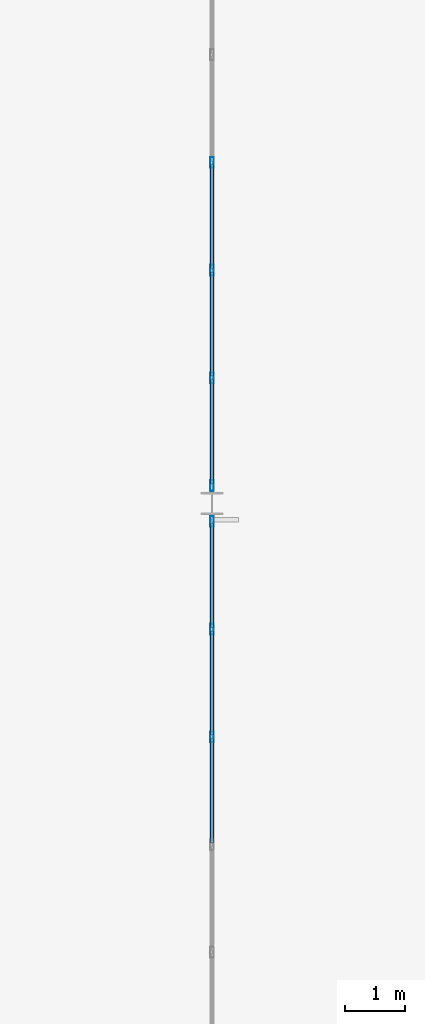
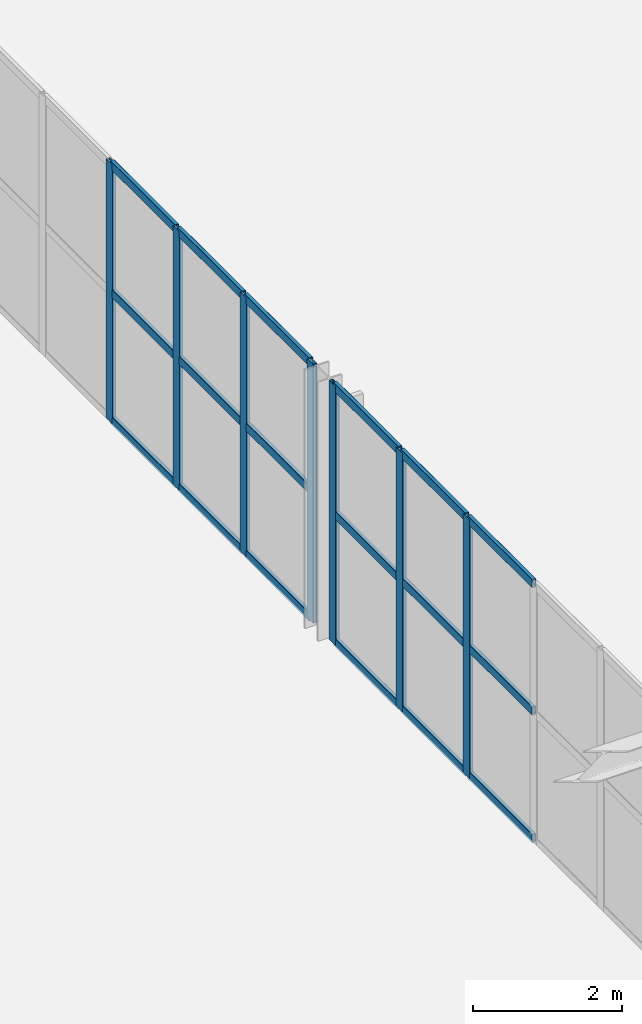
# One storey, part 127 of 170: 25 members, 2 elements without a shape of their own.
"""IFC4 building model written with IfcOpenShell, lengths in metres."""

from ifc_helpers import new_model, si_unit, direction, frame, origin, origin_2d, place, context, subcontext, project, spatial, hollow_rectangle, extrude, material, material_profile, profile_set, type_object, element, aggregate, save


model = new_model("IFC4")

# Units and contexts
model_context = context("Model", 3, precision=1e-05, world=origin(), true_north=direction((0.0, 1.0)))
body_context = subcontext(model_context, "Body", "Model", "MODEL_VIEW")
ifc_project = project(units=[si_unit("LENGTHUNIT", "METRE"), si_unit("AREAUNIT", "SQUARE_METRE"), si_unit("VOLUMEUNIT", "CUBIC_METRE"), si_unit("PLANEANGLEUNIT", "RADIAN"), si_unit("MASSUNIT", "GRAM", prefix="KILO")], contexts=[model_context])

# Site, building, storey
site_placement = place(None, origin())
site = spatial("IfcSite", under=ifc_project, at=site_placement, CompositionType="ELEMENT")
building_placement = place(site_placement, origin())
building = spatial("IfcBuilding", under=site, at=building_placement, Name="Coralgate Yard Interchange", CompositionType="ELEMENT")
storey_placement = place(building_placement, frame((0.0, 0.0, 6.0)))
storey = spatial("IfcBuildingStorey", under=building, at=storey_placement, Name="L01", CompositionType="ELEMENT", Elevation=6.0)

# Curtain wall, members
ifc_material_1 = material(Name="Anodised coastal aluminium and solar-control low-E glass", Category="aluminium")
curtain_wall_type = type_object("IfcCurtainWallType", Name="CW-CW-L01-B", PredefinedType="NOTDEFINED", material=ifc_material_1)
curtain_wall_1_placement = place(storey_placement, origin())
curtain_wall_1 = element("IfcCurtainWall", 1, at=curtain_wall_1_placement, inside=storey, type_object=curtain_wall_type, Name="L01 unitised curtain wall CW-L01-E-13-05", PredefinedType="NOTDEFINED")
ifc_material_2 = material(Name="Anodised coastal aluminium 6063-T6", Category="aluminium")
ifc_material_profile_1 = material_profile(ifc_material_2, hollow_rectangle(XDim=0.06005859375, YDim=0.179931640625, WallThickness=0.00390625, InnerFilletRadius=0.00390625, OuterFilletRadius=0.008056640625, at=origin_2d()), Name="ALU 60x180x4")
ifc_profile_set_1 = profile_set([ifc_material_profile_1], Name="Anodised coastal aluminium 6063-T6")
member_type_1 = type_object("IfcMemberType", Name="MB-MUL-180", PredefinedType="MULLION", material=ifc_profile_set_1)
member_1_placement = place(storey_placement, frame((134.39990234375, 57.300048828125, 0.0), z_axis=(0.0, 0.0, 1.0), x_axis=(1.0, 0.0, 0.0)))
member_1 = element("IfcMember", 2, at=member_1_placement, type_object=member_type_1, Name="CW-L01-E-13-05 vertical mullion 1", PredefinedType="MULLION", context=body_context, shape_type="SweptSolid", body=[
    extrude(hollow_rectangle(XDim=0.06005859375, YDim=0.179931640625, WallThickness=0.00390625, InnerFilletRadius=0.00390625, OuterFilletRadius=0.008056640625, at=origin_2d()), origin(), (0.0, 0.0, 1.0), 4.25),
])
member_2_placement = place(storey_placement, frame((134.39990234375, 55.5, 0.0), z_axis=(0.0, 0.0, 1.0), x_axis=(1.0, 0.0, 0.0)))
member_2 = element("IfcMember", 3, at=member_2_placement, type_object=member_type_1, Name="CW-L01-E-13-05 vertical mullion 2", PredefinedType="MULLION", context=body_context, shape_type="SweptSolid", body=[
    extrude(hollow_rectangle(XDim=0.06005859375, YDim=0.179931640625, WallThickness=0.00390625, InnerFilletRadius=0.00390625, OuterFilletRadius=0.008056640625, at=origin_2d()), origin(), (0.0, 0.0, 1.0), 4.25),
])
member_3_placement = place(storey_placement, frame((134.39990234375, 53.699951171875, 0.0), z_axis=(0.0, 0.0, 1.0), x_axis=(1.0, 0.0, 0.0)))
member_3 = element("IfcMember", 4, at=member_3_placement, type_object=member_type_1, Name="CW-L01-E-13-05 vertical mullion 3", PredefinedType="MULLION", context=body_context, shape_type="SweptSolid", body=[
    extrude(hollow_rectangle(XDim=0.06005859375, YDim=0.179931640625, WallThickness=0.00390625, InnerFilletRadius=0.00390625, OuterFilletRadius=0.008056640625, at=origin_2d()), origin(), (0.0, 0.0, 1.0), 4.25),
])

curtain_wall_2_placement = place(storey_placement, origin())
curtain_wall_2 = element("IfcCurtainWall", 5, at=curtain_wall_2_placement, inside=storey, type_object=curtain_wall_type, Name="L01 unitised curtain wall CW-L01-E-13-06", PredefinedType="NOTDEFINED")
member_4_placement = place(storey_placement, frame((134.39990234375, 63.300048828125, 0.0), z_axis=(0.0, 0.0, 1.0), x_axis=(1.0, 0.0, 0.0)))
member_4 = element("IfcMember", 6, at=member_4_placement, type_object=member_type_1, Name="CW-L01-E-13-06 vertical mullion 3", PredefinedType="MULLION", context=body_context, shape_type="SweptSolid", body=[
    extrude(hollow_rectangle(XDim=0.06005859375, YDim=0.179931640625, WallThickness=0.00390625, InnerFilletRadius=0.00390625, OuterFilletRadius=0.008056640625, at=origin_2d()), origin(), (0.0, 0.0, 1.0), 4.25),
])
member_5_placement = place(storey_placement, frame((134.39990234375, 61.5, 0.0), z_axis=(0.0, 0.0, 1.0), x_axis=(1.0, 0.0, 0.0)))
member_5 = element("IfcMember", 7, at=member_5_placement, type_object=member_type_1, Name="CW-L01-E-13-06 vertical mullion 4", PredefinedType="MULLION", context=body_context, shape_type="SweptSolid", body=[
    extrude(hollow_rectangle(XDim=0.06005859375, YDim=0.179931640625, WallThickness=0.00390625, InnerFilletRadius=0.00390625, OuterFilletRadius=0.008056640625, at=origin_2d()), origin(), (0.0, 0.0, 1.0), 4.25),
])
member_6_placement = place(storey_placement, frame((134.39990234375, 59.699951171875, 0.0), z_axis=(0.0, 0.0, 1.0), x_axis=(1.0, 0.0, 0.0)))
member_6 = element("IfcMember", 8, at=member_6_placement, type_object=member_type_1, Name="CW-L01-E-13-06 vertical mullion 5", PredefinedType="MULLION", context=body_context, shape_type="SweptSolid", body=[
    extrude(hollow_rectangle(XDim=0.06005859375, YDim=0.179931640625, WallThickness=0.00390625, InnerFilletRadius=0.00390625, OuterFilletRadius=0.008056640625, at=origin_2d()), origin(), (0.0, 0.0, 1.0), 4.25),
])
member_7_placement = place(storey_placement, frame((134.39990234375, 57.89990234375, 0.0), z_axis=(0.0, 0.0, 1.0), x_axis=(1.0, 0.0, 0.0)))
member_7 = element("IfcMember", 9, at=member_7_placement, type_object=member_type_1, Name="CW-L01-E-13-06 vertical mullion 6", PredefinedType="MULLION", context=body_context, shape_type="SweptSolid", body=[
    extrude(hollow_rectangle(XDim=0.06005859375, YDim=0.179931640625, WallThickness=0.00390625, InnerFilletRadius=0.00390625, OuterFilletRadius=0.008056640625, at=origin_2d()), origin(), (0.0, 0.0, 1.0), 4.25),
])

# Member
ifc_material_profile_2 = material_profile(ifc_material_2, hollow_rectangle(XDim=0.06005859375, YDim=0.139892578125, WallThickness=0.00341796875, InnerFilletRadius=0.00341796875, OuterFilletRadius=0.007080078125, at=origin_2d()), Name="ALU 60x140x3.5")
ifc_profile_set_2 = profile_set([ifc_material_profile_2], Name="Anodised coastal aluminium 6063-T6")
member_type_2 = type_object("IfcMemberType", Name="MB-TRN-140", PredefinedType="USERDEFINED", material=ifc_profile_set_2)
member_8_placement = place(storey_placement, frame((134.39990234375, 57.27001953125, 0.034912109375), z_axis=(0.0, -1.0, 0.0), x_axis=(1.0, 0.0, 0.0)))
member_8 = element("IfcMember", 10, at=member_8_placement, type_object=member_type_2, Name="CW-L01-E-13-05 horizontal transom 1-1", ObjectType="TRANSOM", PredefinedType="USERDEFINED", context=body_context, shape_type="SweptSolid", body=[
    extrude(hollow_rectangle(XDim=0.06005859375, YDim=0.139892578125, WallThickness=0.00341796875, InnerFilletRadius=0.00341796875, OuterFilletRadius=0.007080078125, at=origin_2d()), origin(), (0.0, 0.0, 1.0), 1.739990234375),
])

member_9_placement = place(storey_placement, frame((134.39990234375, 57.27001953125, 2.125), z_axis=(0.0, -1.0, 0.0), x_axis=(1.0, 0.0, 0.0)))
member_9 = element("IfcMember", 11, at=member_9_placement, type_object=member_type_2, Name="CW-L01-E-13-05 horizontal transom 1-2", ObjectType="TRANSOM", PredefinedType="USERDEFINED", context=body_context, shape_type="SweptSolid", body=[
    extrude(hollow_rectangle(XDim=0.06005859375, YDim=0.139892578125, WallThickness=0.00341796875, InnerFilletRadius=0.00341796875, OuterFilletRadius=0.007080078125, at=origin_2d()), origin(), (0.0, 0.0, 1.0), 1.739990234375),
])

member_10_placement = place(storey_placement, frame((134.39990234375, 57.27001953125, 4.215087890625), z_axis=(0.0, -1.0, 0.0), x_axis=(1.0, 0.0, 0.0)))
member_10 = element("IfcMember", 12, at=member_10_placement, type_object=member_type_2, Name="CW-L01-E-13-05 horizontal transom 1-3", ObjectType="TRANSOM", PredefinedType="USERDEFINED", context=body_context, shape_type="SweptSolid", body=[
    extrude(hollow_rectangle(XDim=0.06005859375, YDim=0.139892578125, WallThickness=0.00341796875, InnerFilletRadius=0.00341796875, OuterFilletRadius=0.007080078125, at=origin_2d()), origin(), (0.0, 0.0, 1.0), 1.739990234375),
])

member_11_placement = place(storey_placement, frame((134.39990234375, 55.469970703125, 0.034912109375), z_axis=(0.0, -1.0, 0.0), x_axis=(1.0, 0.0, 0.0)))
member_11 = element("IfcMember", 13, at=member_11_placement, type_object=member_type_2, Name="CW-L01-E-13-05 horizontal transom 2-1", ObjectType="TRANSOM", PredefinedType="USERDEFINED", context=body_context, shape_type="SweptSolid", body=[
    extrude(hollow_rectangle(XDim=0.06005859375, YDim=0.139892578125, WallThickness=0.00341796875, InnerFilletRadius=0.00341796875, OuterFilletRadius=0.007080078125, at=origin_2d()), origin(), (0.0, 0.0, 1.0), 1.739990234375),
])

member_12_placement = place(storey_placement, frame((134.39990234375, 55.469970703125, 2.125), z_axis=(0.0, -1.0, 0.0), x_axis=(1.0, 0.0, 0.0)))
member_12 = element("IfcMember", 14, at=member_12_placement, type_object=member_type_2, Name="CW-L01-E-13-05 horizontal transom 2-2", ObjectType="TRANSOM", PredefinedType="USERDEFINED", context=body_context, shape_type="SweptSolid", body=[
    extrude(hollow_rectangle(XDim=0.06005859375, YDim=0.139892578125, WallThickness=0.00341796875, InnerFilletRadius=0.00341796875, OuterFilletRadius=0.007080078125, at=origin_2d()), origin(), (0.0, 0.0, 1.0), 1.739990234375),
])

member_13_placement = place(storey_placement, frame((134.39990234375, 55.469970703125, 4.215087890625), z_axis=(0.0, -1.0, 0.0), x_axis=(1.0, 0.0, 0.0)))
member_13 = element("IfcMember", 15, at=member_13_placement, type_object=member_type_2, Name="CW-L01-E-13-05 horizontal transom 2-3", ObjectType="TRANSOM", PredefinedType="USERDEFINED", context=body_context, shape_type="SweptSolid", body=[
    extrude(hollow_rectangle(XDim=0.06005859375, YDim=0.139892578125, WallThickness=0.00341796875, InnerFilletRadius=0.00341796875, OuterFilletRadius=0.007080078125, at=origin_2d()), origin(), (0.0, 0.0, 1.0), 1.739990234375),
])

member_14_placement = place(storey_placement, frame((134.39990234375, 53.669921875, 0.034912109375), z_axis=(0.0, -1.0, 0.0), x_axis=(1.0, 0.0, 0.0)))
member_14 = element("IfcMember", 16, at=member_14_placement, type_object=member_type_2, Name="CW-L01-E-13-05 horizontal transom 3-1", ObjectType="TRANSOM", PredefinedType="USERDEFINED", context=body_context, shape_type="SweptSolid", body=[
    extrude(hollow_rectangle(XDim=0.06005859375, YDim=0.139892578125, WallThickness=0.00341796875, InnerFilletRadius=0.00341796875, OuterFilletRadius=0.007080078125, at=origin_2d()), origin(), (0.0, 0.0, 1.0), 1.739990234375),
])

member_15_placement = place(storey_placement, frame((134.39990234375, 53.669921875, 2.125), z_axis=(0.0, -1.0, 0.0), x_axis=(1.0, 0.0, 0.0)))
member_15 = element("IfcMember", 17, at=member_15_placement, type_object=member_type_2, Name="CW-L01-E-13-05 horizontal transom 3-2", ObjectType="TRANSOM", PredefinedType="USERDEFINED", context=body_context, shape_type="SweptSolid", body=[
    extrude(hollow_rectangle(XDim=0.06005859375, YDim=0.139892578125, WallThickness=0.00341796875, InnerFilletRadius=0.00341796875, OuterFilletRadius=0.007080078125, at=origin_2d()), origin(), (0.0, 0.0, 1.0), 1.739990234375),
])

member_16_placement = place(storey_placement, frame((134.39990234375, 53.669921875, 4.215087890625), z_axis=(0.0, -1.0, 0.0), x_axis=(1.0, 0.0, 0.0)))
member_16 = element("IfcMember", 18, at=member_16_placement, type_object=member_type_2, Name="CW-L01-E-13-05 horizontal transom 3-3", ObjectType="TRANSOM", PredefinedType="USERDEFINED", context=body_context, shape_type="SweptSolid", body=[
    extrude(hollow_rectangle(XDim=0.06005859375, YDim=0.139892578125, WallThickness=0.00341796875, InnerFilletRadius=0.00341796875, OuterFilletRadius=0.007080078125, at=origin_2d()), origin(), (0.0, 0.0, 1.0), 1.739990234375),
])

aggregate(curtain_wall_1, [member_1, member_2, member_3, member_8, member_9, member_10, member_11, member_12, member_13, member_14, member_15, member_16])

member_17_placement = place(storey_placement, frame((134.39990234375, 63.27001953125, 0.034912109375), z_axis=(0.0, -1.0, 0.0), x_axis=(1.0, 0.0, 0.0)))
member_17 = element("IfcMember", 19, at=member_17_placement, type_object=member_type_2, Name="CW-L01-E-13-06 horizontal transom 3-1", ObjectType="TRANSOM", PredefinedType="USERDEFINED", context=body_context, shape_type="SweptSolid", body=[
    extrude(hollow_rectangle(XDim=0.06005859375, YDim=0.139892578125, WallThickness=0.00341796875, InnerFilletRadius=0.00341796875, OuterFilletRadius=0.007080078125, at=origin_2d()), origin(), (0.0, 0.0, 1.0), 1.739990234375),
])

member_18_placement = place(storey_placement, frame((134.39990234375, 63.27001953125, 2.125), z_axis=(0.0, -1.0, 0.0), x_axis=(1.0, 0.0, 0.0)))
member_18 = element("IfcMember", 20, at=member_18_placement, type_object=member_type_2, Name="CW-L01-E-13-06 horizontal transom 3-2", ObjectType="TRANSOM", PredefinedType="USERDEFINED", context=body_context, shape_type="SweptSolid", body=[
    extrude(hollow_rectangle(XDim=0.06005859375, YDim=0.139892578125, WallThickness=0.00341796875, InnerFilletRadius=0.00341796875, OuterFilletRadius=0.007080078125, at=origin_2d()), origin(), (0.0, 0.0, 1.0), 1.739990234375),
])

member_19_placement = place(storey_placement, frame((134.39990234375, 63.27001953125, 4.215087890625), z_axis=(0.0, -1.0, 0.0), x_axis=(1.0, 0.0, 0.0)))
member_19 = element("IfcMember", 21, at=member_19_placement, type_object=member_type_2, Name="CW-L01-E-13-06 horizontal transom 3-3", ObjectType="TRANSOM", PredefinedType="USERDEFINED", context=body_context, shape_type="SweptSolid", body=[
    extrude(hollow_rectangle(XDim=0.06005859375, YDim=0.139892578125, WallThickness=0.00341796875, InnerFilletRadius=0.00341796875, OuterFilletRadius=0.007080078125, at=origin_2d()), origin(), (0.0, 0.0, 1.0), 1.739990234375),
])

member_20_placement = place(storey_placement, frame((134.39990234375, 61.469970703125, 0.034912109375), z_axis=(0.0, -1.0, 0.0), x_axis=(1.0, 0.0, 0.0)))
member_20 = element("IfcMember", 22, at=member_20_placement, type_object=member_type_2, Name="CW-L01-E-13-06 horizontal transom 4-1", ObjectType="TRANSOM", PredefinedType="USERDEFINED", context=body_context, shape_type="SweptSolid", body=[
    extrude(hollow_rectangle(XDim=0.06005859375, YDim=0.139892578125, WallThickness=0.00341796875, InnerFilletRadius=0.00341796875, OuterFilletRadius=0.007080078125, at=origin_2d()), origin(), (0.0, 0.0, 1.0), 1.739990234375),
])

member_21_placement = place(storey_placement, frame((134.39990234375, 61.469970703125, 2.125), z_axis=(0.0, -1.0, 0.0), x_axis=(1.0, 0.0, 0.0)))
member_21 = element("IfcMember", 23, at=member_21_placement, type_object=member_type_2, Name="CW-L01-E-13-06 horizontal transom 4-2", ObjectType="TRANSOM", PredefinedType="USERDEFINED", context=body_context, shape_type="SweptSolid", body=[
    extrude(hollow_rectangle(XDim=0.06005859375, YDim=0.139892578125, WallThickness=0.00341796875, InnerFilletRadius=0.00341796875, OuterFilletRadius=0.007080078125, at=origin_2d()), origin(), (0.0, 0.0, 1.0), 1.739990234375),
])

member_22_placement = place(storey_placement, frame((134.39990234375, 61.469970703125, 4.215087890625), z_axis=(0.0, -1.0, 0.0), x_axis=(1.0, 0.0, 0.0)))
member_22 = element("IfcMember", 24, at=member_22_placement, type_object=member_type_2, Name="CW-L01-E-13-06 horizontal transom 4-3", ObjectType="TRANSOM", PredefinedType="USERDEFINED", context=body_context, shape_type="SweptSolid", body=[
    extrude(hollow_rectangle(XDim=0.06005859375, YDim=0.139892578125, WallThickness=0.00341796875, InnerFilletRadius=0.00341796875, OuterFilletRadius=0.007080078125, at=origin_2d()), origin(), (0.0, 0.0, 1.0), 1.739990234375),
])

member_23_placement = place(storey_placement, frame((134.39990234375, 59.669921875, 0.034912109375), z_axis=(0.0, -1.0, 0.0), x_axis=(1.0, 0.0, 0.0)))
member_23 = element("IfcMember", 25, at=member_23_placement, type_object=member_type_2, Name="CW-L01-E-13-06 horizontal transom 5-1", ObjectType="TRANSOM", PredefinedType="USERDEFINED", context=body_context, shape_type="SweptSolid", body=[
    extrude(hollow_rectangle(XDim=0.06005859375, YDim=0.139892578125, WallThickness=0.00341796875, InnerFilletRadius=0.00341796875, OuterFilletRadius=0.007080078125, at=origin_2d()), origin(), (0.0, 0.0, 1.0), 1.739990234375),
])

member_24_placement = place(storey_placement, frame((134.39990234375, 59.669921875, 2.125), z_axis=(0.0, -1.0, 0.0), x_axis=(1.0, 0.0, 0.0)))
member_24 = element("IfcMember", 26, at=member_24_placement, type_object=member_type_2, Name="CW-L01-E-13-06 horizontal transom 5-2", ObjectType="TRANSOM", PredefinedType="USERDEFINED", context=body_context, shape_type="SweptSolid", body=[
    extrude(hollow_rectangle(XDim=0.06005859375, YDim=0.139892578125, WallThickness=0.00341796875, InnerFilletRadius=0.00341796875, OuterFilletRadius=0.007080078125, at=origin_2d()), origin(), (0.0, 0.0, 1.0), 1.739990234375),
])

member_25_placement = place(storey_placement, frame((134.39990234375, 59.669921875, 4.215087890625), z_axis=(0.0, -1.0, 0.0), x_axis=(1.0, 0.0, 0.0)))
member_25 = element("IfcMember", 27, at=member_25_placement, type_object=member_type_2, Name="CW-L01-E-13-06 horizontal transom 5-3", ObjectType="TRANSOM", PredefinedType="USERDEFINED", context=body_context, shape_type="SweptSolid", body=[
    extrude(hollow_rectangle(XDim=0.06005859375, YDim=0.139892578125, WallThickness=0.00341796875, InnerFilletRadius=0.00341796875, OuterFilletRadius=0.007080078125, at=origin_2d()), origin(), (0.0, 0.0, 1.0), 1.739990234375),
])

aggregate(curtain_wall_2, [member_4, member_5, member_6, member_7, member_17, member_18, member_19, member_20, member_21, member_22, member_23, member_24, member_25])

save(model, "model.ifc")
